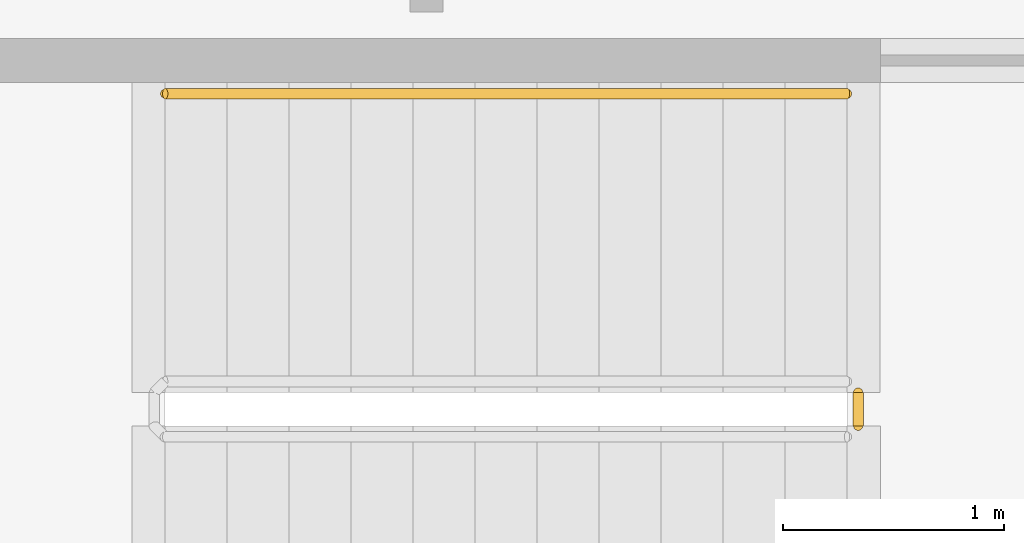
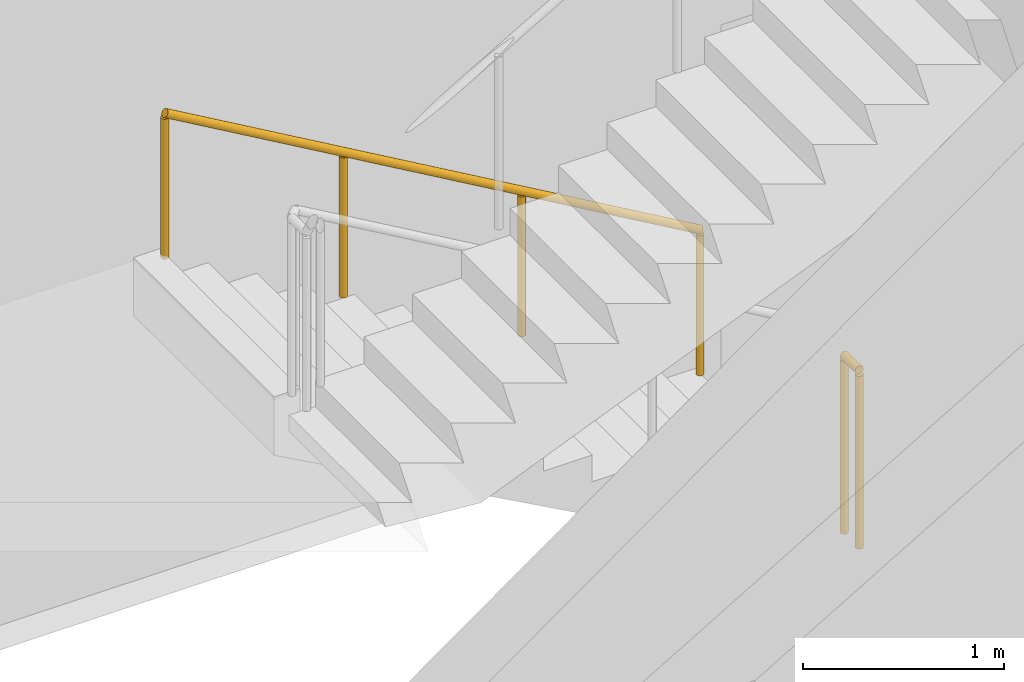
# One storey, part 19 of 22: 2 railings.
"""IFC4 building model written with IfcOpenShell, lengths in metres."""

from ifc_helpers import new_model, si_unit, direction, frame, origin, origin_2d, place, context, subcontext, project, spatial, circle, extrude, material, type_object, element, save


model = new_model("IFC4")

# Units and contexts
model_context = context("Model", 3, precision=1e-05, world=origin(), true_north=direction((0.0, 1.0)))
body_context = subcontext(model_context, "Body", "Model", "MODEL_VIEW")
ifc_project = project(units=[si_unit("LENGTHUNIT", "METRE"), si_unit("AREAUNIT", "SQUARE_METRE"), si_unit("VOLUMEUNIT", "CUBIC_METRE"), si_unit("PLANEANGLEUNIT", "RADIAN"), si_unit("MASSUNIT", "GRAM", prefix="KILO")], contexts=[model_context])

# Site, building, storey
site_placement = place(None, origin())
site = spatial("IfcSite", under=ifc_project, at=site_placement, CompositionType="ELEMENT")
building_placement = place(site_placement, origin())
building = spatial("IfcBuilding", under=site, at=building_placement, Name="Kheshtan School and Residences Tower", CompositionType="ELEMENT")
storey_placement = place(building_placement, frame((0.0, 0.0, 263.0)))
storey = spatial("IfcBuildingStorey", under=building, at=storey_placement, Name="L62", CompositionType="ELEMENT", Elevation=263.0)

# Railings
ifc_material_1 = material(Name="Stainless steel balustrade", Category="steel")
railing_type_1 = type_object("IfcRailingType", Name="Stair guard 1100", PredefinedType="GUARDRAIL", material=ifc_material_1)
railing_1_placement = place(storey_placement, frame((78.4599609375, 24.39990234375, 0.0)))
element("IfcRailing", 1, at=railing_1_placement, inside=storey, type_object=railing_type_1, Name="L62 ST5 stair guard 2", PredefinedType="GUARDRAIL", context=body_context, shape_type="SweptSolid", body=[
    extrude(circle(Radius=0.02392578125, at=origin_2d()), frame((0.0, 0.0, 1.076171875), z_axis=(0.0, -1.0, 0.0), x_axis=(1.0, 0.0, 0.0)), (0.0, 0.0, 1.0), 0.14990234375),
    extrude(circle(Radius=0.02099609375, at=origin_2d()), origin(), (0.0, 0.0, 1.0), 1.052001953125),
    extrude(circle(Radius=0.02099609375, at=origin_2d()), frame((0.0, -0.14990234375, 0.0)), (0.0, 0.0, 1.0), 1.052001953125),
])
ifc_material_2 = material(Name="Stainless steel handrail", Category="steel")
railing_type_2 = type_object("IfcRailingType", Name="Stair handrail 900", PredefinedType="HANDRAIL", material=ifc_material_2)
railing_2_placement = place(storey_placement, frame((78.409912109375, 25.75, 0.16259765625)))
element("IfcRailing", 2, at=railing_2_placement, inside=storey, type_object=railing_type_2, Name="L62 ST5 stair handrail 1", PredefinedType="HANDRAIL", context=body_context, shape_type="SweptSolid", body=[
    extrude(circle(Radius=0.02392578125, at=origin_2d()), frame((0.0, 0.0, 0.8759765625), z_axis=(-0.864903211148, 0.0, 0.501938676878), x_axis=(0.0, -1.0, 0.0)), (0.0, 0.0, 1.0), 3.560791015625),
    extrude(circle(Radius=0.02099609375, at=origin_2d()), origin(), (0.0, 0.0, 1.0), 0.851806640625),
    extrude(circle(Radius=0.02099609375, at=origin_2d()), frame((-1.026611328125, 0.0, 0.595703125)), (0.0, 0.0, 1.0), 0.851806640625),
    extrude(circle(Radius=0.02099609375, at=origin_2d()), frame((-2.05322265625, 0.0, 1.191650390625)), (0.0, 0.0, 1.0), 0.851806640625),
    extrude(circle(Radius=0.02099609375, at=origin_2d()), frame((-3.079833984375, 0.0, 1.787353515625)), (0.0, 0.0, 1.0), 0.851806640625),
])

save(model, "model.ifc")
